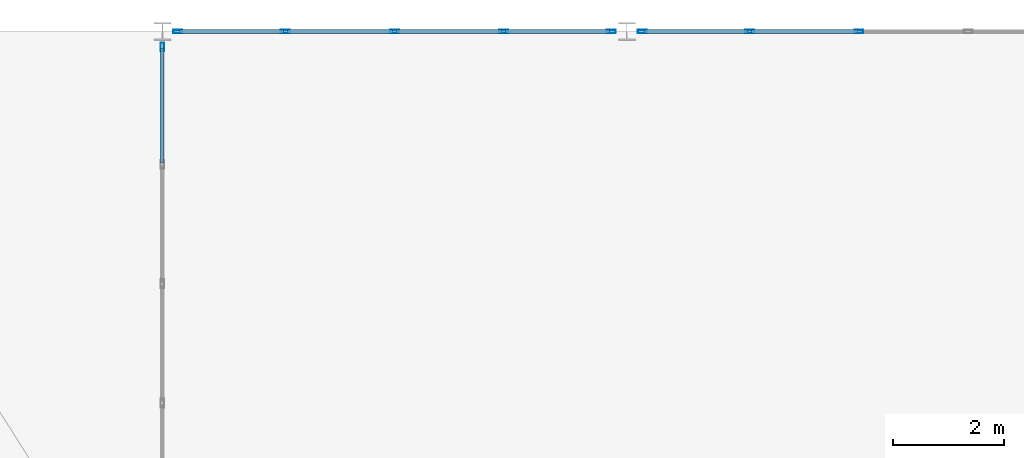
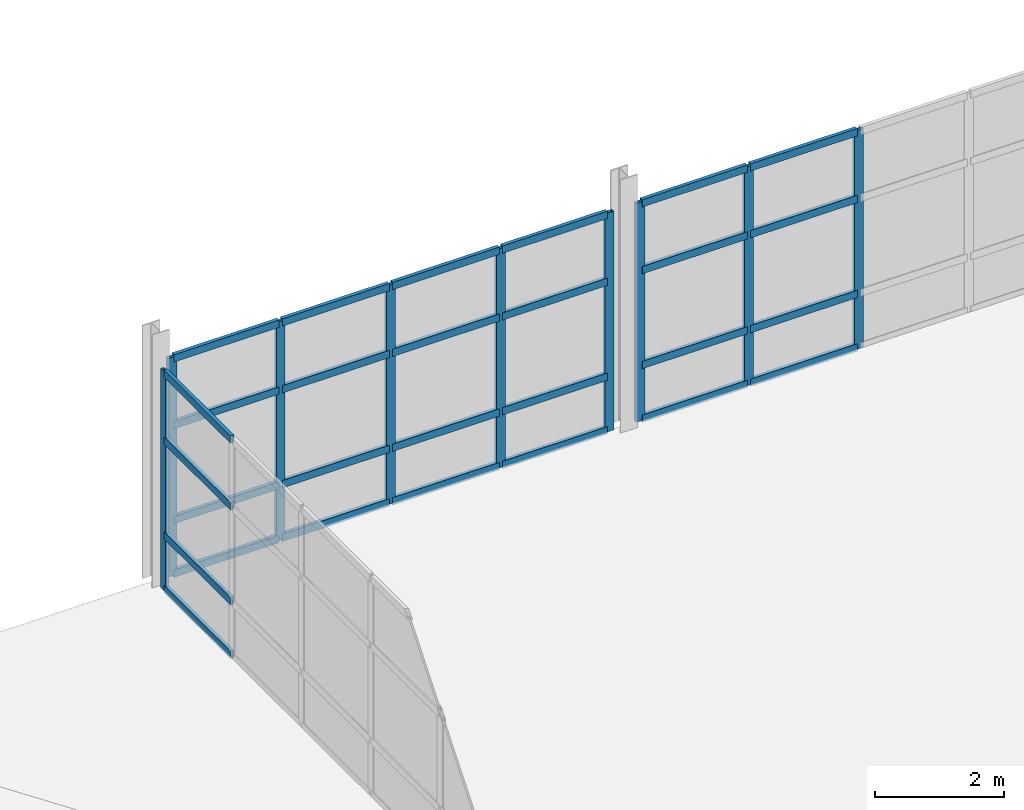
# One storey, part 8 of 14: 37 members, 3 elements without a shape of their own.
"""IFC4 building model written with IfcOpenShell, lengths in metres."""

import ifcopenshell
import ifcopenshell.guid

model = None  # the IFC model being written
_history = None  # IfcOwnerHistory: only IFC2X3 demands one
_inside = {}  # id of a spatial element -> (the spatial element, [elements in it])
_under = {}  # id of a project, library or spatial element -> (it, [spatial elements below it])
_declared = {}  # id of a project -> (the project, [libraries it declares])
_typed = {}  # id of a type object -> (the type object, [elements of that type])
_made_of = {}  # id of a material, layer set ... -> (it, [elements and type objects made of it])


def new_model(schema):
    """Start an empty IFC model of exactly this schema.

    Asked for "IFC4X3", IfcOpenShell would pick the latest addendum, in which some entities
    have other attributes; the version numbers below select the first issue.
    IFC2X3 requires an IfcOwnerHistory on every rooted entity: one is made here for all.
    """
    global model, _history
    if schema == "IFC4X3":
        model = ifcopenshell.file(schema_version=(4, 3, 0, 0))
    else:
        model = ifcopenshell.file(schema=schema)
    _inside.clear()
    _under.clear()
    _declared.clear()
    _typed.clear()
    _made_of.clear()
    _history = None
    if model.schema == "IFC2X3":
        org = make("IfcOrganization", Name="unknown")
        user = make(
            "IfcPersonAndOrganization",
            ThePerson=make("IfcPerson", FamilyName="unknown"),
            TheOrganization=org,
        )
        app = make(
            "IfcApplication",
            ApplicationDeveloper=org,
            Version="unknown",
            ApplicationFullName="unknown",
            ApplicationIdentifier="unknown",
        )
        _history = make(
            "IfcOwnerHistory",
            OwningUser=user,
            OwningApplication=app,
            ChangeAction="ADDED",
            CreationDate=0,
        )
    return model


def make(cls, **values):
    """One entity of the class cls with the attributes given. An attribute that is None is left unset."""
    return model.create_entity(
        cls, **{name: value for name, value in values.items() if value is not None}
    )


def rooted(cls, **values):
    """An entity with a GlobalId (a new one), such as an element, a storey or a relation."""
    return make(cls, GlobalId=ifcopenshell.guid.new(), OwnerHistory=_history, **values)


def si_unit(unit_type, name, prefix=None):
    """IfcSIUnit, for example si_unit("LENGTHUNIT", "METRE", prefix="MILLI")."""
    return make("IfcSIUnit", UnitType=unit_type, Prefix=prefix, Name=name)


def assignment(units):
    """IfcUnitAssignment: the units of a project."""
    return None if units is None else make("IfcUnitAssignment", Units=units)


def point(xyz):
    """IfcCartesianPoint."""
    return None if xyz is None else make("IfcCartesianPoint", Coordinates=xyz)


def direction(xyz):
    """IfcDirection."""
    return None if xyz is None else make("IfcDirection", DirectionRatios=xyz)


def frame(location, z_axis=None, x_axis=None):
    """IfcAxis2Placement3D, a coordinate frame: its origin and axes. An axis left out is left unset."""
    return make(
        "IfcAxis2Placement3D",
        Location=point(location),
        Axis=direction(z_axis),
        RefDirection=direction(x_axis),
    )


def frame_2d(location, x_axis=None):
    """IfcAxis2Placement2D, a coordinate frame in the plane: its origin and x axis."""
    return make(
        "IfcAxis2Placement2D", Location=point(location), RefDirection=direction(x_axis)
    )


def origin():
    """The frame at (0, 0, 0) with its axes left unset."""
    return frame((0.0, 0.0, 0.0))


def origin_2d():
    """The frame at (0, 0) in the plane with its x axis left unset."""
    return frame_2d((0.0, 0.0))


def place(relative_to, where):
    """IfcLocalPlacement: puts the frame where relative to a parent placement (None: the world)."""
    return make(
        "IfcLocalPlacement", PlacementRelTo=relative_to, RelativePlacement=where
    )


def context(
    kind, dimensions, precision=None, world=None, true_north=None, identifier=None
):
    """IfcGeometricRepresentationContext, for example the 3D "Model" context."""
    return make(
        "IfcGeometricRepresentationContext",
        ContextIdentifier=identifier,
        ContextType=kind,
        CoordinateSpaceDimension=dimensions,
        Precision=precision,
        WorldCoordinateSystem=world,
        TrueNorth=true_north,
    )


def subcontext(parent, identifier, kind, view, scale=None):
    """IfcGeometricRepresentationSubContext, for example "Body" below "Model"."""
    return make(
        "IfcGeometricRepresentationSubContext",
        ContextIdentifier=identifier,
        ContextType=kind,
        ParentContext=parent,
        TargetScale=scale,
        TargetView=view,
    )


def project(units=None, contexts=None):
    """IfcProject with its units and contexts."""
    return rooted(
        "IfcProject",
        Name="project",
        RepresentationContexts=contexts,
        UnitsInContext=assignment(units),
    )


def spatial(cls, under=None, at=None, **own):
    """A site, building, storey or space (cls), placed at a placement, below another one or the project."""
    s = rooted(cls, ObjectPlacement=at, **own)
    if under is not None:
        _under.setdefault(under.id(), (under, []))[1].append(s)
    return s


def profile(cls, at=None, kind="AREA", **sizes):
    """A parametric profile (cls). Its sizes go by their IFC names, for example OverallWidth=200.0."""
    return make(cls, ProfileType=kind, Position=at, **sizes)


def hollow_rectangle(**sizes):
    """IfcRectangleHollowProfileDef."""
    return profile("IfcRectangleHollowProfileDef", **sizes)


def extrude(swept, where, along, depth):
    """IfcExtrudedAreaSolid: the profile swept, set in the frame where, extruded along a direction by depth."""
    return make(
        "IfcExtrudedAreaSolid",
        SweptArea=swept,
        Position=where,
        ExtrudedDirection=direction(along),
        Depth=depth,
    )


def shape(context_of_items, identifier, shape_type, items):
    """IfcShapeRepresentation: the items that make up one representation, for example the "Body"."""
    return make(
        "IfcShapeRepresentation",
        ContextOfItems=context_of_items,
        RepresentationIdentifier=identifier,
        RepresentationType=shape_type,
        Items=items,
    )


def material(Name=None, Category=None):
    """IfcMaterial."""
    return make("IfcMaterial", Name=Name, Category=Category)


def layer(
    of_material, thickness, ventilated=None, Name=None, Category=None, Priority=None
):
    """IfcMaterialLayer: one layer of a wall or slab, of a material (None: an air gap)."""
    return make(
        "IfcMaterialLayer",
        Material=of_material,
        LayerThickness=thickness,
        IsVentilated=ventilated,
        Name=Name,
        Category=Category,
        Priority=Priority,
    )


def layer_set(layers, Name=None):
    """IfcMaterialLayerSet."""
    return make("IfcMaterialLayerSet", MaterialLayers=layers, LayerSetName=Name)


def material_profile(
    of_material, cross_section, Name=None, Category=None, Priority=None
):
    """IfcMaterialProfile: a cross section and its material."""
    return make(
        "IfcMaterialProfile",
        Name=Name,
        Material=of_material,
        Profile=cross_section,
        Priority=Priority,
        Category=Category,
    )


def profile_set(profiles, Name=None, composite=None):
    """IfcMaterialProfileSet."""
    return make(
        "IfcMaterialProfileSet",
        Name=Name,
        MaterialProfiles=profiles,
        CompositeProfile=composite,
    )


def made_of(thing, what):
    """Note that an element or type object is made of a material, layer set ...; save() writes the relation."""
    if what is not None:
        _made_of.setdefault(what.id(), (what, []))[1].append(thing)
    return thing


def type_object(cls, material=None, **own):
    """A type object (cls), such as IfcWallType, which elements share."""
    return made_of(rooted(cls, **own), material)


def element(
    cls,
    number,
    at=None,
    inside=None,
    cuts=None,
    type_object=None,
    material=None,
    context=None,
    identifier="Body",
    shape_type=None,
    held_by="IfcProductDefinitionShape",
    body=None,
    shapes=None,
    **own,
):
    """One element of the class cls, such as IfcWall. Its Tag is "e" and its number.

    at: its placement. inside: the storey or other place that contains it. cuts: it is an
    opening in that element (IfcRelVoidsElement). A single representation is given by context,
    identifier, shape_type and body (its items); several are given by shapes. held_by: the class
    of the entity that holds the representations. save() writes the other relations.
    """
    e = rooted(cls, Tag="e%d" % number, ObjectPlacement=at, **own)
    if body is not None:
        shapes = [shape(context, identifier, shape_type, body)]
    if shapes is not None:
        e.Representation = make(held_by, Representations=shapes)
    if inside is not None:
        _inside.setdefault(inside.id(), (inside, []))[1].append(e)
    if cuts is not None:
        rooted(
            "IfcRelVoidsElement", RelatingBuildingElement=cuts, RelatedOpeningElement=e
        )
    if type_object is not None:
        _typed.setdefault(type_object.id(), (type_object, []))[1].append(e)
    return made_of(e, material)


def aggregate(whole, parts):
    """IfcRelAggregates: a whole, such as a stair, and the parts it consists of."""
    return rooted("IfcRelAggregates", RelatingObject=whole, RelatedObjects=parts)


def save(model, path):
    """Write the relations noted so far, then the file.

    IfcRelAggregates (storeys below a building ...), IfcRelContainedInSpatialStructure (elements
    in a storey), IfcRelDefinesByType, IfcRelAssociatesMaterial and IfcRelDeclares: one each for
    every whole, place, type object, material and project.
    """
    for whole, parts in _under.values():
        aggregate(whole, parts)
    for where, things in _inside.values():
        rooted(
            "IfcRelContainedInSpatialStructure",
            RelatedElements=things,
            RelatingStructure=where,
        )
    for kind, things in _typed.values():
        rooted("IfcRelDefinesByType", RelatedObjects=things, RelatingType=kind)
    for what, things in _made_of.values():
        rooted("IfcRelAssociatesMaterial", RelatedObjects=things, RelatingMaterial=what)
    for by, libraries in _declared.values():
        rooted("IfcRelDeclares", RelatingContext=by, RelatedDefinitions=libraries)
    model.write(path)


model = new_model("IFC4")

# Units and contexts
model_context = context("Model", 3, precision=1e-05, world=origin(), true_north=direction((0.0, 1.0)))
body_context = subcontext(model_context, "Body", "Model", "MODEL_VIEW")
ifc_project = project(units=[si_unit("LENGTHUNIT", "METRE"), si_unit("AREAUNIT", "SQUARE_METRE"), si_unit("VOLUMEUNIT", "CUBIC_METRE"), si_unit("PLANEANGLEUNIT", "RADIAN"), si_unit("MASSUNIT", "GRAM", prefix="KILO")], contexts=[model_context])

# Site, building, storey
site_placement = place(None, origin())
site = spatial("IfcSite", under=ifc_project, at=site_placement, CompositionType="ELEMENT")
building_placement = place(site_placement, origin())
building = spatial("IfcBuilding", under=site, at=building_placement, Name="Selat Folded Stagehouse", CompositionType="ELEMENT")
storey_placement = place(building_placement, frame((0.0, 0.0, 27.60009765625)))
storey = spatial("IfcBuildingStorey", under=building, at=storey_placement, Name="L06", CompositionType="ELEMENT", Elevation=27.60009765625)

# Curtain wall, member
ifc_material = material(Name="Aluminium 6063-T6", Category="aluminium")
ifc_layer = layer(ifc_material, 0.175048828125)
ifc_layer_set = layer_set([ifc_layer], Name="Aluminium 6063-T6")
curtain_wall_type = type_object("IfcCurtainWallType", Name="CW-BRG-GLAZ", PredefinedType="NOTDEFINED", material=ifc_layer_set)
curtain_wall_1_placement = place(storey_placement, origin())
curtain_wall_1 = element("IfcCurtainWall", 1, at=curtain_wall_1_placement, inside=storey, type_object=curtain_wall_type, Name="L06 curtain wall CW-BRG-27", PredefinedType="NOTDEFINED")
ifc_material_profile_1 = material_profile(ifc_material, hollow_rectangle(XDim=0.06005859375, YDim=0.159912109375, WallThickness=0.00390625, at=origin_2d()), Name="ALU 160x60x4.0")
ifc_profile_set_1 = profile_set([ifc_material_profile_1], Name="Aluminium 6063-T6")
member_type_1 = type_object("IfcMemberType", Name="CWM-MUL-160x60", PredefinedType="MULLION", material=ifc_profile_set_1)
member_1_placement = place(storey_placement, frame((8.39990234375, 54.320068359375, 0.0), z_axis=(0.0, 0.0, 1.0), x_axis=(-1.0, 0.0, 0.0)))
member_1 = element("IfcMember", 2, at=member_1_placement, type_object=member_type_1, Name="CW-07 mullion 8", PredefinedType="MULLION", context=body_context, shape_type="SweptSolid", body=[
    extrude(hollow_rectangle(XDim=0.06005859375, YDim=0.159912109375, WallThickness=0.00390625, at=origin_2d()), origin(), (0.0, 0.0, 1.0), 4.14990234375),
])

# Curtain wall, members
curtain_wall_2_placement = place(storey_placement, origin())
curtain_wall_2 = element("IfcCurtainWall", 3, at=curtain_wall_2_placement, inside=storey, type_object=curtain_wall_type, Name="L06 curtain wall CW-BRG-28", PredefinedType="NOTDEFINED")
member_2_placement = place(storey_placement, frame((8.679931640625, 54.60009765625, 0.0), z_axis=(0.0, 0.0, 1.0), x_axis=(0.0, 1.0, 0.0)))
member_2 = element("IfcMember", 4, at=member_2_placement, type_object=member_type_1, Name="CW-07 mullion 1", PredefinedType="MULLION", context=body_context, shape_type="SweptSolid", body=[
    extrude(hollow_rectangle(XDim=0.06005859375, YDim=0.159912109375, WallThickness=0.00390625, at=origin_2d()), origin(), (0.0, 0.0, 1.0), 4.14990234375),
])
member_3_placement = place(storey_placement, frame((10.625, 54.60009765625, 0.0), z_axis=(0.0, 0.0, 1.0), x_axis=(0.0, 1.0, 0.0)))
member_3 = element("IfcMember", 5, at=member_3_placement, type_object=member_type_1, Name="CW-07 mullion 2", PredefinedType="MULLION", context=body_context, shape_type="SweptSolid", body=[
    extrude(hollow_rectangle(XDim=0.06005859375, YDim=0.159912109375, WallThickness=0.00390625, at=origin_2d()), origin(), (0.0, 0.0, 1.0), 4.14990234375),
])
member_4_placement = place(storey_placement, frame((12.60009765625, 54.60009765625, 0.0), z_axis=(0.0, 0.0, 1.0), x_axis=(0.0, 1.0, 0.0)))
member_4 = element("IfcMember", 6, at=member_4_placement, type_object=member_type_1, Name="CW-07 mullion 3", PredefinedType="MULLION", context=body_context, shape_type="SweptSolid", body=[
    extrude(hollow_rectangle(XDim=0.06005859375, YDim=0.159912109375, WallThickness=0.00390625, at=origin_2d()), origin(), (0.0, 0.0, 1.0), 4.14990234375),
])
member_5_placement = place(storey_placement, frame((14.574951171875, 54.60009765625, 0.0), z_axis=(0.0, 0.0, 1.0), x_axis=(0.0, 1.0, 0.0)))
member_5 = element("IfcMember", 7, at=member_5_placement, type_object=member_type_1, Name="CW-07 mullion 4", PredefinedType="MULLION", context=body_context, shape_type="SweptSolid", body=[
    extrude(hollow_rectangle(XDim=0.06005859375, YDim=0.159912109375, WallThickness=0.00390625, at=origin_2d()), origin(), (0.0, 0.0, 1.0), 4.14990234375),
])
member_6_placement = place(storey_placement, frame((16.52001953125, 54.60009765625, 0.0), z_axis=(0.0, 0.0, 1.0), x_axis=(0.0, 1.0, 0.0)))
member_6 = element("IfcMember", 8, at=member_6_placement, type_object=member_type_1, Name="CW-07 mullion 5", PredefinedType="MULLION", context=body_context, shape_type="SweptSolid", body=[
    extrude(hollow_rectangle(XDim=0.06005859375, YDim=0.159912109375, WallThickness=0.00390625, at=origin_2d()), origin(), (0.0, 0.0, 1.0), 4.14990234375),
])

curtain_wall_3_placement = place(storey_placement, origin())
curtain_wall_3 = element("IfcCurtainWall", 9, at=curtain_wall_3_placement, inside=storey, type_object=curtain_wall_type, Name="L06 curtain wall CW-BRG-29", PredefinedType="NOTDEFINED")
member_7_placement = place(storey_placement, frame((17.080078125, 54.60009765625, 0.0), z_axis=(0.0, 0.0, 1.0), x_axis=(0.0, 1.0, 0.0)))
member_7 = element("IfcMember", 10, at=member_7_placement, type_object=member_type_1, Name="CW-07 mullion 1", PredefinedType="MULLION", context=body_context, shape_type="SweptSolid", body=[
    extrude(hollow_rectangle(XDim=0.06005859375, YDim=0.159912109375, WallThickness=0.00390625, at=origin_2d()), origin(), (0.0, 0.0, 1.0), 4.14990234375),
])
member_8_placement = place(storey_placement, frame((19.02490234375, 54.60009765625, 0.0), z_axis=(0.0, 0.0, 1.0), x_axis=(0.0, 1.0, 0.0)))
member_8 = element("IfcMember", 11, at=member_8_placement, type_object=member_type_1, Name="CW-07 mullion 2", PredefinedType="MULLION", context=body_context, shape_type="SweptSolid", body=[
    extrude(hollow_rectangle(XDim=0.06005859375, YDim=0.159912109375, WallThickness=0.00390625, at=origin_2d()), origin(), (0.0, 0.0, 1.0), 4.14990234375),
])
member_9_placement = place(storey_placement, frame((21.0, 54.60009765625, 0.0), z_axis=(0.0, 0.0, 1.0), x_axis=(0.0, 1.0, 0.0)))
member_9 = element("IfcMember", 12, at=member_9_placement, type_object=member_type_1, Name="CW-07 mullion 3", PredefinedType="MULLION", context=body_context, shape_type="SweptSolid", body=[
    extrude(hollow_rectangle(XDim=0.06005859375, YDim=0.159912109375, WallThickness=0.00390625, at=origin_2d()), origin(), (0.0, 0.0, 1.0), 4.14990234375),
])

# Member
ifc_material_profile_2 = material_profile(ifc_material, hollow_rectangle(XDim=0.06494140625, YDim=0.139892578125, WallThickness=0.00390625, at=origin_2d()), Name="ALU 140x65x4.0")
ifc_profile_set_2 = profile_set([ifc_material_profile_2], Name="Aluminium 6063-T6")
member_type_2 = type_object("IfcMemberType", Name="CWM-TRN-140x65", PredefinedType="USERDEFINED", material=ifc_profile_set_2)
member_10_placement = place(storey_placement, frame((8.39990234375, 52.222900390625, 0.032470703125), z_axis=(0.0, 1.0, 0.0), x_axis=(-1.0, 0.0, 0.0)))
member_10 = element("IfcMember", 13, at=member_10_placement, type_object=member_type_2, Name="CW-07 transom 7.1", ObjectType="TRANSOM", PredefinedType="USERDEFINED", context=body_context, shape_type="SweptSolid", body=[
    extrude(hollow_rectangle(XDim=0.06494140625, YDim=0.139892578125, WallThickness=0.00390625, at=origin_2d()), origin(), (0.0, 0.0, 1.0), 2.067138671875),
])

member_11_placement = place(storey_placement, frame((8.39990234375, 52.222900390625, 1.0498046875), z_axis=(0.0, 1.0, 0.0), x_axis=(-1.0, 0.0, 0.0)))
member_11 = element("IfcMember", 14, at=member_11_placement, type_object=member_type_2, Name="CW-07 transom 7.2", ObjectType="TRANSOM", PredefinedType="USERDEFINED", context=body_context, shape_type="SweptSolid", body=[
    extrude(hollow_rectangle(XDim=0.06494140625, YDim=0.139892578125, WallThickness=0.00390625, at=origin_2d()), origin(), (0.0, 0.0, 1.0), 2.067138671875),
])

member_12_placement = place(storey_placement, frame((8.39990234375, 52.222900390625, 2.849853515625), z_axis=(0.0, 1.0, 0.0), x_axis=(-1.0, 0.0, 0.0)))
member_12 = element("IfcMember", 15, at=member_12_placement, type_object=member_type_2, Name="CW-07 transom 7.3", ObjectType="TRANSOM", PredefinedType="USERDEFINED", context=body_context, shape_type="SweptSolid", body=[
    extrude(hollow_rectangle(XDim=0.06494140625, YDim=0.139892578125, WallThickness=0.00390625, at=origin_2d()), origin(), (0.0, 0.0, 1.0), 2.067138671875),
])

member_13_placement = place(storey_placement, frame((8.39990234375, 52.222900390625, 4.117431640625), z_axis=(0.0, 1.0, 0.0), x_axis=(-1.0, 0.0, 0.0)))
member_13 = element("IfcMember", 16, at=member_13_placement, type_object=member_type_2, Name="CW-07 transom 7.4", ObjectType="TRANSOM", PredefinedType="USERDEFINED", context=body_context, shape_type="SweptSolid", body=[
    extrude(hollow_rectangle(XDim=0.06494140625, YDim=0.139892578125, WallThickness=0.00390625, at=origin_2d()), origin(), (0.0, 0.0, 1.0), 2.067138671875),
])

aggregate(curtain_wall_1, [member_1, member_10, member_11, member_12, member_13])

member_14_placement = place(storey_placement, frame((8.7099609375, 54.60009765625, 0.032470703125), z_axis=(1.0, 0.0, 0.0), x_axis=(0.0, 1.0, 0.0)))
member_14 = element("IfcMember", 17, at=member_14_placement, type_object=member_type_2, Name="CW-07 transom 1.1", ObjectType="TRANSOM", PredefinedType="USERDEFINED", context=body_context, shape_type="SweptSolid", body=[
    extrude(hollow_rectangle(XDim=0.06494140625, YDim=0.139892578125, WallThickness=0.00390625, at=origin_2d()), origin(), (0.0, 0.0, 1.0), 1.885009765625),
])

member_15_placement = place(storey_placement, frame((8.7099609375, 54.60009765625, 1.0498046875), z_axis=(1.0, 0.0, 0.0), x_axis=(0.0, 1.0, 0.0)))
member_15 = element("IfcMember", 18, at=member_15_placement, type_object=member_type_2, Name="CW-07 transom 1.2", ObjectType="TRANSOM", PredefinedType="USERDEFINED", context=body_context, shape_type="SweptSolid", body=[
    extrude(hollow_rectangle(XDim=0.06494140625, YDim=0.139892578125, WallThickness=0.00390625, at=origin_2d()), origin(), (0.0, 0.0, 1.0), 1.885009765625),
])

member_16_placement = place(storey_placement, frame((8.7099609375, 54.60009765625, 2.849853515625), z_axis=(1.0, 0.0, 0.0), x_axis=(0.0, 1.0, 0.0)))
member_16 = element("IfcMember", 19, at=member_16_placement, type_object=member_type_2, Name="CW-07 transom 1.3", ObjectType="TRANSOM", PredefinedType="USERDEFINED", context=body_context, shape_type="SweptSolid", body=[
    extrude(hollow_rectangle(XDim=0.06494140625, YDim=0.139892578125, WallThickness=0.00390625, at=origin_2d()), origin(), (0.0, 0.0, 1.0), 1.885009765625),
])

member_17_placement = place(storey_placement, frame((8.7099609375, 54.60009765625, 4.117431640625), z_axis=(1.0, 0.0, 0.0), x_axis=(0.0, 1.0, 0.0)))
member_17 = element("IfcMember", 20, at=member_17_placement, type_object=member_type_2, Name="CW-07 transom 1.4", ObjectType="TRANSOM", PredefinedType="USERDEFINED", context=body_context, shape_type="SweptSolid", body=[
    extrude(hollow_rectangle(XDim=0.06494140625, YDim=0.139892578125, WallThickness=0.00390625, at=origin_2d()), origin(), (0.0, 0.0, 1.0), 1.885009765625),
])

member_18_placement = place(storey_placement, frame((10.655029296875, 54.60009765625, 0.032470703125), z_axis=(1.0, 0.0, 0.0), x_axis=(0.0, 1.0, 0.0)))
member_18 = element("IfcMember", 21, at=member_18_placement, type_object=member_type_2, Name="CW-07 transom 2.1", ObjectType="TRANSOM", PredefinedType="USERDEFINED", context=body_context, shape_type="SweptSolid", body=[
    extrude(hollow_rectangle(XDim=0.06494140625, YDim=0.139892578125, WallThickness=0.00390625, at=origin_2d()), origin(), (0.0, 0.0, 1.0), 1.9150390625),
])

member_19_placement = place(storey_placement, frame((10.655029296875, 54.60009765625, 1.0498046875), z_axis=(1.0, 0.0, 0.0), x_axis=(0.0, 1.0, 0.0)))
member_19 = element("IfcMember", 22, at=member_19_placement, type_object=member_type_2, Name="CW-07 transom 2.2", ObjectType="TRANSOM", PredefinedType="USERDEFINED", context=body_context, shape_type="SweptSolid", body=[
    extrude(hollow_rectangle(XDim=0.06494140625, YDim=0.139892578125, WallThickness=0.00390625, at=origin_2d()), origin(), (0.0, 0.0, 1.0), 1.9150390625),
])

member_20_placement = place(storey_placement, frame((10.655029296875, 54.60009765625, 2.849853515625), z_axis=(1.0, 0.0, 0.0), x_axis=(0.0, 1.0, 0.0)))
member_20 = element("IfcMember", 23, at=member_20_placement, type_object=member_type_2, Name="CW-07 transom 2.3", ObjectType="TRANSOM", PredefinedType="USERDEFINED", context=body_context, shape_type="SweptSolid", body=[
    extrude(hollow_rectangle(XDim=0.06494140625, YDim=0.139892578125, WallThickness=0.00390625, at=origin_2d()), origin(), (0.0, 0.0, 1.0), 1.9150390625),
])

member_21_placement = place(storey_placement, frame((10.655029296875, 54.60009765625, 4.117431640625), z_axis=(1.0, 0.0, 0.0), x_axis=(0.0, 1.0, 0.0)))
member_21 = element("IfcMember", 24, at=member_21_placement, type_object=member_type_2, Name="CW-07 transom 2.4", ObjectType="TRANSOM", PredefinedType="USERDEFINED", context=body_context, shape_type="SweptSolid", body=[
    extrude(hollow_rectangle(XDim=0.06494140625, YDim=0.139892578125, WallThickness=0.00390625, at=origin_2d()), origin(), (0.0, 0.0, 1.0), 1.9150390625),
])

member_22_placement = place(storey_placement, frame((12.6298828125, 54.60009765625, 0.032470703125), z_axis=(1.0, 0.0, 0.0), x_axis=(0.0, 1.0, 0.0)))
member_22 = element("IfcMember", 25, at=member_22_placement, type_object=member_type_2, Name="CW-07 transom 3.1", ObjectType="TRANSOM", PredefinedType="USERDEFINED", context=body_context, shape_type="SweptSolid", body=[
    extrude(hollow_rectangle(XDim=0.06494140625, YDim=0.139892578125, WallThickness=0.00390625, at=origin_2d()), origin(), (0.0, 0.0, 1.0), 1.9150390625),
])

member_23_placement = place(storey_placement, frame((12.6298828125, 54.60009765625, 1.0498046875), z_axis=(1.0, 0.0, 0.0), x_axis=(0.0, 1.0, 0.0)))
member_23 = element("IfcMember", 26, at=member_23_placement, type_object=member_type_2, Name="CW-07 transom 3.2", ObjectType="TRANSOM", PredefinedType="USERDEFINED", context=body_context, shape_type="SweptSolid", body=[
    extrude(hollow_rectangle(XDim=0.06494140625, YDim=0.139892578125, WallThickness=0.00390625, at=origin_2d()), origin(), (0.0, 0.0, 1.0), 1.9150390625),
])

member_24_placement = place(storey_placement, frame((12.6298828125, 54.60009765625, 2.849853515625), z_axis=(1.0, 0.0, 0.0), x_axis=(0.0, 1.0, 0.0)))
member_24 = element("IfcMember", 27, at=member_24_placement, type_object=member_type_2, Name="CW-07 transom 3.3", ObjectType="TRANSOM", PredefinedType="USERDEFINED", context=body_context, shape_type="SweptSolid", body=[
    extrude(hollow_rectangle(XDim=0.06494140625, YDim=0.139892578125, WallThickness=0.00390625, at=origin_2d()), origin(), (0.0, 0.0, 1.0), 1.9150390625),
])

member_25_placement = place(storey_placement, frame((12.6298828125, 54.60009765625, 4.117431640625), z_axis=(1.0, 0.0, 0.0), x_axis=(0.0, 1.0, 0.0)))
member_25 = element("IfcMember", 28, at=member_25_placement, type_object=member_type_2, Name="CW-07 transom 3.4", ObjectType="TRANSOM", PredefinedType="USERDEFINED", context=body_context, shape_type="SweptSolid", body=[
    extrude(hollow_rectangle(XDim=0.06494140625, YDim=0.139892578125, WallThickness=0.00390625, at=origin_2d()), origin(), (0.0, 0.0, 1.0), 1.9150390625),
])

member_26_placement = place(storey_placement, frame((14.60498046875, 54.60009765625, 0.032470703125), z_axis=(1.0, 0.0, 0.0), x_axis=(0.0, 1.0, 0.0)))
member_26 = element("IfcMember", 29, at=member_26_placement, type_object=member_type_2, Name="CW-07 transom 4.1", ObjectType="TRANSOM", PredefinedType="USERDEFINED", context=body_context, shape_type="SweptSolid", body=[
    extrude(hollow_rectangle(XDim=0.06494140625, YDim=0.139892578125, WallThickness=0.00390625, at=origin_2d()), origin(), (0.0, 0.0, 1.0), 1.885009765625),
])

member_27_placement = place(storey_placement, frame((14.60498046875, 54.60009765625, 1.0498046875), z_axis=(1.0, 0.0, 0.0), x_axis=(0.0, 1.0, 0.0)))
member_27 = element("IfcMember", 30, at=member_27_placement, type_object=member_type_2, Name="CW-07 transom 4.2", ObjectType="TRANSOM", PredefinedType="USERDEFINED", context=body_context, shape_type="SweptSolid", body=[
    extrude(hollow_rectangle(XDim=0.06494140625, YDim=0.139892578125, WallThickness=0.00390625, at=origin_2d()), origin(), (0.0, 0.0, 1.0), 1.885009765625),
])

member_28_placement = place(storey_placement, frame((14.60498046875, 54.60009765625, 2.849853515625), z_axis=(1.0, 0.0, 0.0), x_axis=(0.0, 1.0, 0.0)))
member_28 = element("IfcMember", 31, at=member_28_placement, type_object=member_type_2, Name="CW-07 transom 4.3", ObjectType="TRANSOM", PredefinedType="USERDEFINED", context=body_context, shape_type="SweptSolid", body=[
    extrude(hollow_rectangle(XDim=0.06494140625, YDim=0.139892578125, WallThickness=0.00390625, at=origin_2d()), origin(), (0.0, 0.0, 1.0), 1.885009765625),
])

member_29_placement = place(storey_placement, frame((14.60498046875, 54.60009765625, 4.117431640625), z_axis=(1.0, 0.0, 0.0), x_axis=(0.0, 1.0, 0.0)))
member_29 = element("IfcMember", 32, at=member_29_placement, type_object=member_type_2, Name="CW-07 transom 4.4", ObjectType="TRANSOM", PredefinedType="USERDEFINED", context=body_context, shape_type="SweptSolid", body=[
    extrude(hollow_rectangle(XDim=0.06494140625, YDim=0.139892578125, WallThickness=0.00390625, at=origin_2d()), origin(), (0.0, 0.0, 1.0), 1.885009765625),
])

aggregate(curtain_wall_2, [member_2, member_3, member_4, member_5, member_6, member_14, member_15, member_16, member_17, member_18, member_19, member_20, member_21, member_22, member_23, member_24, member_25, member_26, member_27, member_28, member_29])

member_30_placement = place(storey_placement, frame((17.110107421875, 54.60009765625, 0.032470703125), z_axis=(1.0, 0.0, 0.0), x_axis=(0.0, 1.0, 0.0)))
member_30 = element("IfcMember", 33, at=member_30_placement, type_object=member_type_2, Name="CW-07 transom 1.1", ObjectType="TRANSOM", PredefinedType="USERDEFINED", context=body_context, shape_type="SweptSolid", body=[
    extrude(hollow_rectangle(XDim=0.06494140625, YDim=0.139892578125, WallThickness=0.00390625, at=origin_2d()), origin(), (0.0, 0.0, 1.0), 1.885009765625),
])

member_31_placement = place(storey_placement, frame((17.110107421875, 54.60009765625, 1.0498046875), z_axis=(1.0, 0.0, 0.0), x_axis=(0.0, 1.0, 0.0)))
member_31 = element("IfcMember", 34, at=member_31_placement, type_object=member_type_2, Name="CW-07 transom 1.2", ObjectType="TRANSOM", PredefinedType="USERDEFINED", context=body_context, shape_type="SweptSolid", body=[
    extrude(hollow_rectangle(XDim=0.06494140625, YDim=0.139892578125, WallThickness=0.00390625, at=origin_2d()), origin(), (0.0, 0.0, 1.0), 1.885009765625),
])

member_32_placement = place(storey_placement, frame((17.110107421875, 54.60009765625, 2.849853515625), z_axis=(1.0, 0.0, 0.0), x_axis=(0.0, 1.0, 0.0)))
member_32 = element("IfcMember", 35, at=member_32_placement, type_object=member_type_2, Name="CW-07 transom 1.3", ObjectType="TRANSOM", PredefinedType="USERDEFINED", context=body_context, shape_type="SweptSolid", body=[
    extrude(hollow_rectangle(XDim=0.06494140625, YDim=0.139892578125, WallThickness=0.00390625, at=origin_2d()), origin(), (0.0, 0.0, 1.0), 1.885009765625),
])

member_33_placement = place(storey_placement, frame((17.110107421875, 54.60009765625, 4.117431640625), z_axis=(1.0, 0.0, 0.0), x_axis=(0.0, 1.0, 0.0)))
member_33 = element("IfcMember", 36, at=member_33_placement, type_object=member_type_2, Name="CW-07 transom 1.4", ObjectType="TRANSOM", PredefinedType="USERDEFINED", context=body_context, shape_type="SweptSolid", body=[
    extrude(hollow_rectangle(XDim=0.06494140625, YDim=0.139892578125, WallThickness=0.00390625, at=origin_2d()), origin(), (0.0, 0.0, 1.0), 1.885009765625),
])

member_34_placement = place(storey_placement, frame((19.054931640625, 54.60009765625, 0.032470703125), z_axis=(1.0, 0.0, 0.0), x_axis=(0.0, 1.0, 0.0)))
member_34 = element("IfcMember", 37, at=member_34_placement, type_object=member_type_2, Name="CW-07 transom 2.1", ObjectType="TRANSOM", PredefinedType="USERDEFINED", context=body_context, shape_type="SweptSolid", body=[
    extrude(hollow_rectangle(XDim=0.06494140625, YDim=0.139892578125, WallThickness=0.00390625, at=origin_2d()), origin(), (0.0, 0.0, 1.0), 1.9150390625),
])

member_35_placement = place(storey_placement, frame((19.054931640625, 54.60009765625, 1.0498046875), z_axis=(1.0, 0.0, 0.0), x_axis=(0.0, 1.0, 0.0)))
member_35 = element("IfcMember", 38, at=member_35_placement, type_object=member_type_2, Name="CW-07 transom 2.2", ObjectType="TRANSOM", PredefinedType="USERDEFINED", context=body_context, shape_type="SweptSolid", body=[
    extrude(hollow_rectangle(XDim=0.06494140625, YDim=0.139892578125, WallThickness=0.00390625, at=origin_2d()), origin(), (0.0, 0.0, 1.0), 1.9150390625),
])

member_36_placement = place(storey_placement, frame((19.054931640625, 54.60009765625, 2.849853515625), z_axis=(1.0, 0.0, 0.0), x_axis=(0.0, 1.0, 0.0)))
member_36 = element("IfcMember", 39, at=member_36_placement, type_object=member_type_2, Name="CW-07 transom 2.3", ObjectType="TRANSOM", PredefinedType="USERDEFINED", context=body_context, shape_type="SweptSolid", body=[
    extrude(hollow_rectangle(XDim=0.06494140625, YDim=0.139892578125, WallThickness=0.00390625, at=origin_2d()), origin(), (0.0, 0.0, 1.0), 1.9150390625),
])

member_37_placement = place(storey_placement, frame((19.054931640625, 54.60009765625, 4.117431640625), z_axis=(1.0, 0.0, 0.0), x_axis=(0.0, 1.0, 0.0)))
member_37 = element("IfcMember", 40, at=member_37_placement, type_object=member_type_2, Name="CW-07 transom 2.4", ObjectType="TRANSOM", PredefinedType="USERDEFINED", context=body_context, shape_type="SweptSolid", body=[
    extrude(hollow_rectangle(XDim=0.06494140625, YDim=0.139892578125, WallThickness=0.00390625, at=origin_2d()), origin(), (0.0, 0.0, 1.0), 1.9150390625),
])

aggregate(curtain_wall_3, [member_7, member_8, member_9, member_30, member_31, member_32, member_33, member_34, member_35, member_36, member_37])

save(model, "model.ifc")
